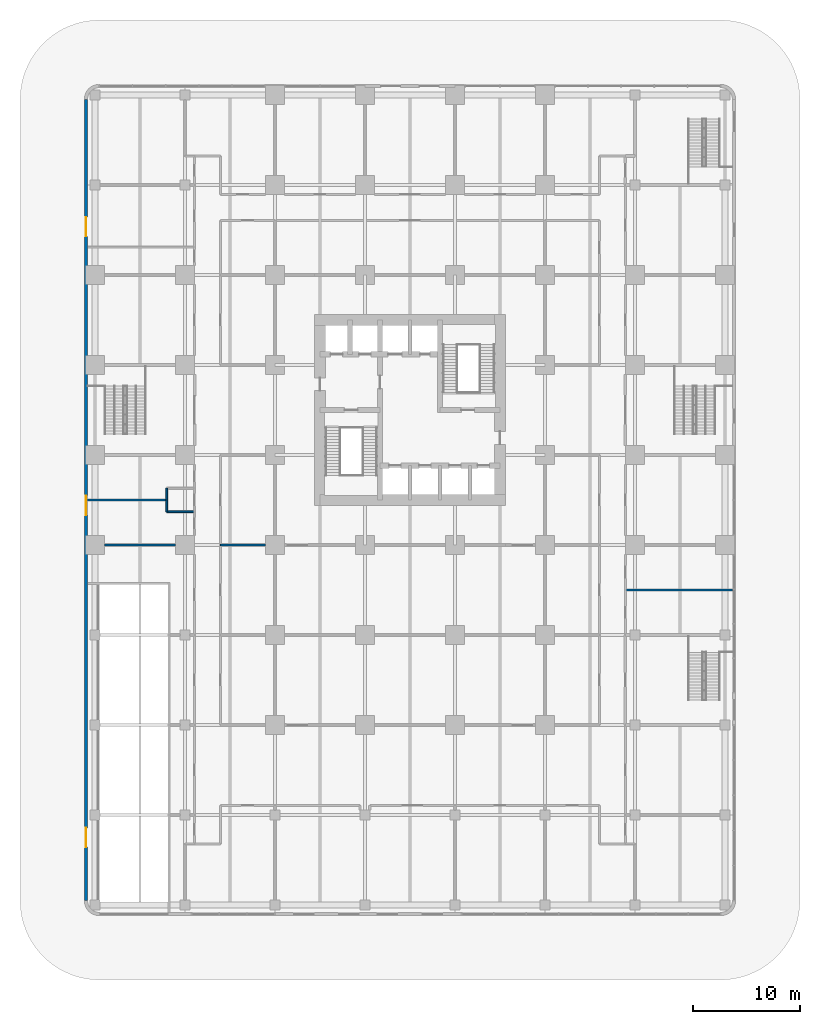
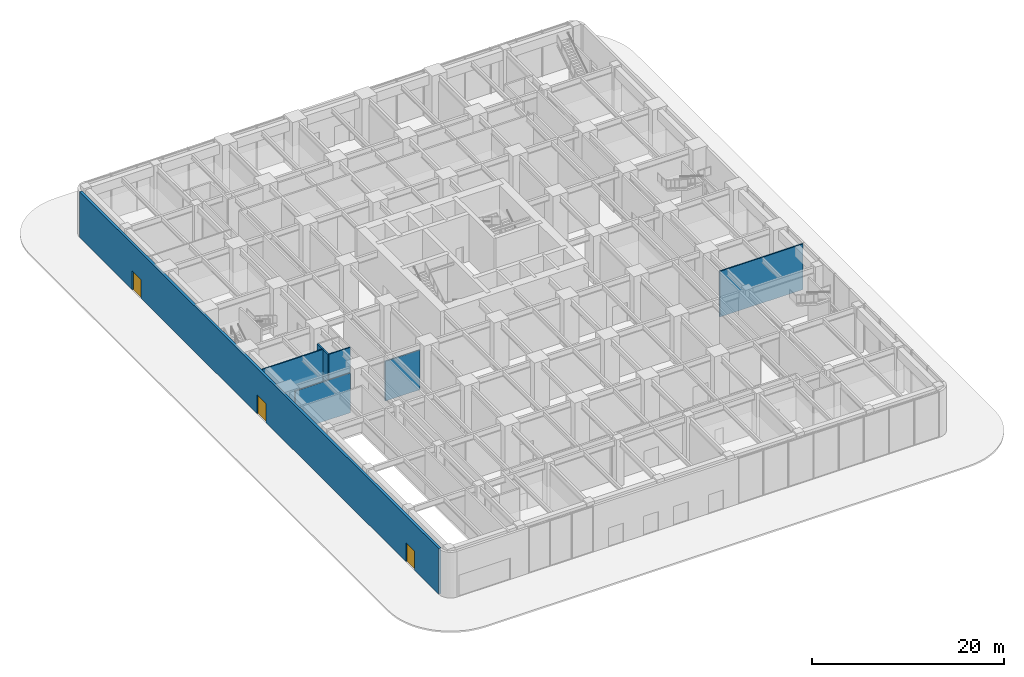
# One storey, part 12 of 21: 8 walls, 3 doors, 3 openings.
"""IFC4 building model written with IfcOpenShell, lengths in metres."""

import ifcopenshell
import ifcopenshell.guid

model = None  # the IFC model being written
_history = None  # IfcOwnerHistory: only IFC2X3 demands one
_inside = {}  # id of a spatial element -> (the spatial element, [elements in it])
_under = {}  # id of a project, library or spatial element -> (it, [spatial elements below it])
_declared = {}  # id of a project -> (the project, [libraries it declares])
_typed = {}  # id of a type object -> (the type object, [elements of that type])
_made_of = {}  # id of a material, layer set ... -> (it, [elements and type objects made of it])


def new_model(schema):
    """Start an empty IFC model of exactly this schema.

    Asked for "IFC4X3", IfcOpenShell would pick the latest addendum, in which some entities
    have other attributes; the version numbers below select the first issue.
    IFC2X3 requires an IfcOwnerHistory on every rooted entity: one is made here for all.
    """
    global model, _history
    if schema == "IFC4X3":
        model = ifcopenshell.file(schema_version=(4, 3, 0, 0))
    else:
        model = ifcopenshell.file(schema=schema)
    _inside.clear()
    _under.clear()
    _declared.clear()
    _typed.clear()
    _made_of.clear()
    _history = None
    if model.schema == "IFC2X3":
        org = make("IfcOrganization", Name="unknown")
        user = make(
            "IfcPersonAndOrganization",
            ThePerson=make("IfcPerson", FamilyName="unknown"),
            TheOrganization=org,
        )
        app = make(
            "IfcApplication",
            ApplicationDeveloper=org,
            Version="unknown",
            ApplicationFullName="unknown",
            ApplicationIdentifier="unknown",
        )
        _history = make(
            "IfcOwnerHistory",
            OwningUser=user,
            OwningApplication=app,
            ChangeAction="ADDED",
            CreationDate=0,
        )
    return model


def make(cls, **values):
    """One entity of the class cls with the attributes given. An attribute that is None is left unset."""
    return model.create_entity(
        cls, **{name: value for name, value in values.items() if value is not None}
    )


def rooted(cls, **values):
    """An entity with a GlobalId (a new one), such as an element, a storey or a relation."""
    return make(cls, GlobalId=ifcopenshell.guid.new(), OwnerHistory=_history, **values)


def si_unit(unit_type, name, prefix=None):
    """IfcSIUnit, for example si_unit("LENGTHUNIT", "METRE", prefix="MILLI")."""
    return make("IfcSIUnit", UnitType=unit_type, Prefix=prefix, Name=name)


def assignment(units):
    """IfcUnitAssignment: the units of a project."""
    return None if units is None else make("IfcUnitAssignment", Units=units)


def point(xyz):
    """IfcCartesianPoint."""
    return None if xyz is None else make("IfcCartesianPoint", Coordinates=xyz)


def direction(xyz):
    """IfcDirection."""
    return None if xyz is None else make("IfcDirection", DirectionRatios=xyz)


def frame(location, z_axis=None, x_axis=None):
    """IfcAxis2Placement3D, a coordinate frame: its origin and axes. An axis left out is left unset."""
    return make(
        "IfcAxis2Placement3D",
        Location=point(location),
        Axis=direction(z_axis),
        RefDirection=direction(x_axis),
    )


def frame_2d(location, x_axis=None):
    """IfcAxis2Placement2D, a coordinate frame in the plane: its origin and x axis."""
    return make(
        "IfcAxis2Placement2D", Location=point(location), RefDirection=direction(x_axis)
    )


def origin():
    """The frame at (0, 0, 0) with its axes left unset."""
    return frame((0.0, 0.0, 0.0))


def place(relative_to, where):
    """IfcLocalPlacement: puts the frame where relative to a parent placement (None: the world)."""
    return make(
        "IfcLocalPlacement", PlacementRelTo=relative_to, RelativePlacement=where
    )


def context(
    kind, dimensions, precision=None, world=None, true_north=None, identifier=None
):
    """IfcGeometricRepresentationContext, for example the 3D "Model" context."""
    return make(
        "IfcGeometricRepresentationContext",
        ContextIdentifier=identifier,
        ContextType=kind,
        CoordinateSpaceDimension=dimensions,
        Precision=precision,
        WorldCoordinateSystem=world,
        TrueNorth=true_north,
    )


def subcontext(parent, identifier, kind, view, scale=None):
    """IfcGeometricRepresentationSubContext, for example "Body" below "Model"."""
    return make(
        "IfcGeometricRepresentationSubContext",
        ContextIdentifier=identifier,
        ContextType=kind,
        ParentContext=parent,
        TargetScale=scale,
        TargetView=view,
    )


def project(units=None, contexts=None):
    """IfcProject with its units and contexts."""
    return rooted(
        "IfcProject",
        Name="project",
        RepresentationContexts=contexts,
        UnitsInContext=assignment(units),
    )


def spatial(cls, under=None, at=None, **own):
    """A site, building, storey or space (cls), placed at a placement, below another one or the project."""
    s = rooted(cls, ObjectPlacement=at, **own)
    if under is not None:
        _under.setdefault(under.id(), (under, []))[1].append(s)
    return s


def profile(cls, at=None, kind="AREA", **sizes):
    """A parametric profile (cls). Its sizes go by their IFC names, for example OverallWidth=200.0."""
    return make(cls, ProfileType=kind, Position=at, **sizes)


def rectangle(**sizes):
    """IfcRectangleProfileDef."""
    return profile("IfcRectangleProfileDef", **sizes)


def extrude(swept, where, along, depth):
    """IfcExtrudedAreaSolid: the profile swept, set in the frame where, extruded along a direction by depth."""
    return make(
        "IfcExtrudedAreaSolid",
        SweptArea=swept,
        Position=where,
        ExtrudedDirection=direction(along),
        Depth=depth,
    )


def shape(context_of_items, identifier, shape_type, items):
    """IfcShapeRepresentation: the items that make up one representation, for example the "Body"."""
    return make(
        "IfcShapeRepresentation",
        ContextOfItems=context_of_items,
        RepresentationIdentifier=identifier,
        RepresentationType=shape_type,
        Items=items,
    )


def material(Name=None, Category=None):
    """IfcMaterial."""
    return make("IfcMaterial", Name=Name, Category=Category)


def layer(
    of_material, thickness, ventilated=None, Name=None, Category=None, Priority=None
):
    """IfcMaterialLayer: one layer of a wall or slab, of a material (None: an air gap)."""
    return make(
        "IfcMaterialLayer",
        Material=of_material,
        LayerThickness=thickness,
        IsVentilated=ventilated,
        Name=Name,
        Category=Category,
        Priority=Priority,
    )


def layer_set(layers, Name=None):
    """IfcMaterialLayerSet."""
    return make("IfcMaterialLayerSet", MaterialLayers=layers, LayerSetName=Name)


def made_of(thing, what):
    """Note that an element or type object is made of a material, layer set ...; save() writes the relation."""
    if what is not None:
        _made_of.setdefault(what.id(), (what, []))[1].append(thing)
    return thing


def type_object(cls, material=None, **own):
    """A type object (cls), such as IfcWallType, which elements share."""
    return made_of(rooted(cls, **own), material)


def element(
    cls,
    number,
    at=None,
    inside=None,
    cuts=None,
    type_object=None,
    material=None,
    context=None,
    identifier="Body",
    shape_type=None,
    held_by="IfcProductDefinitionShape",
    body=None,
    shapes=None,
    **own,
):
    """One element of the class cls, such as IfcWall. Its Tag is "e" and its number.

    at: its placement. inside: the storey or other place that contains it. cuts: it is an
    opening in that element (IfcRelVoidsElement). A single representation is given by context,
    identifier, shape_type and body (its items); several are given by shapes. held_by: the class
    of the entity that holds the representations. save() writes the other relations.
    """
    e = rooted(cls, Tag="e%d" % number, ObjectPlacement=at, **own)
    if body is not None:
        shapes = [shape(context, identifier, shape_type, body)]
    if shapes is not None:
        e.Representation = make(held_by, Representations=shapes)
    if inside is not None:
        _inside.setdefault(inside.id(), (inside, []))[1].append(e)
    if cuts is not None:
        rooted(
            "IfcRelVoidsElement", RelatingBuildingElement=cuts, RelatedOpeningElement=e
        )
    if type_object is not None:
        _typed.setdefault(type_object.id(), (type_object, []))[1].append(e)
    return made_of(e, material)


def fill(opening, filler):
    """IfcRelFillsElement: the door or window that sits in an opening."""
    return rooted(
        "IfcRelFillsElement",
        RelatingOpeningElement=opening,
        RelatedBuildingElement=filler,
    )


def aggregate(whole, parts):
    """IfcRelAggregates: a whole, such as a stair, and the parts it consists of."""
    return rooted("IfcRelAggregates", RelatingObject=whole, RelatedObjects=parts)


def save(model, path):
    """Write the relations noted so far, then the file.

    IfcRelAggregates (storeys below a building ...), IfcRelContainedInSpatialStructure (elements
    in a storey), IfcRelDefinesByType, IfcRelAssociatesMaterial and IfcRelDeclares: one each for
    every whole, place, type object, material and project.
    """
    for whole, parts in _under.values():
        aggregate(whole, parts)
    for where, things in _inside.values():
        rooted(
            "IfcRelContainedInSpatialStructure",
            RelatedElements=things,
            RelatingStructure=where,
        )
    for kind, things in _typed.values():
        rooted("IfcRelDefinesByType", RelatedObjects=things, RelatingType=kind)
    for what, things in _made_of.values():
        rooted("IfcRelAssociatesMaterial", RelatedObjects=things, RelatingMaterial=what)
    for by, libraries in _declared.values():
        rooted("IfcRelDeclares", RelatingContext=by, RelatedDefinitions=libraries)
    model.write(path)


model = new_model("IFC4")

# Units and contexts
model_context = context("Model", 3, precision=1e-05, world=origin(), true_north=direction((0.0, 1.0)))
body_context = subcontext(model_context, "Body", "Model", "MODEL_VIEW")
ifc_project = project(units=[si_unit("LENGTHUNIT", "METRE"), si_unit("AREAUNIT", "SQUARE_METRE"), si_unit("VOLUMEUNIT", "CUBIC_METRE"), si_unit("PLANEANGLEUNIT", "RADIAN"), si_unit("MASSUNIT", "GRAM", prefix="KILO")], contexts=[model_context])

# Site, building, storey
site_placement = place(None, origin())
site = spatial("IfcSite", under=ifc_project, at=site_placement, CompositionType="ELEMENT")
building_placement = place(site_placement, origin())
building = spatial("IfcBuilding", under=site, at=building_placement, Name="Torre Alcanfor", CompositionType="ELEMENT")
storey_placement = place(building_placement, origin())
storey = spatial("IfcBuildingStorey", under=building, at=storey_placement, Name="L00", CompositionType="ELEMENT", Elevation=0.0)

# Walls
ifc_material_1 = material(Name="Concrete block masonry, hollow blocks NMX-C-404 9 MPa", Category="masonry")
ifc_layer_1 = layer(ifc_material_1, 0.14990234375)
ifc_layer_set_1 = layer_set([ifc_layer_1], Name="Classroom partition 150")
wall_type_1 = type_object("IfcWallType", Name="Classroom partition 150", PredefinedType="PARTITIONING", material=ifc_layer_set_1)
wall_1_placement = place(storey_placement, frame((49.5, 12.60009765625, 0.0), z_axis=(0.0, 0.0, 1.0), x_axis=(1.0, 0.0, 0.0)))
element("IfcWall", 1, at=wall_1_placement, inside=storey, type_object=wall_type_1, Name="Partition L00-11 / L00-13", PredefinedType="PARTITIONING", context=body_context, shape_type="SweptSolid", body=[
    extrude(rectangle(XDim=10.0, YDim=0.14990234375, at=frame_2d((5.0, 0.0))), origin(), (0.0, 0.0, 1.0), 5.800048828125),
])
wall_2_placement = place(storey_placement, frame((11.699951171875, 16.800048828125, 0.0), z_axis=(0.0, 0.0, 1.0), x_axis=(1.0, 0.0, 0.0)))
element("IfcWall", 2, at=wall_2_placement, inside=storey, type_object=wall_type_1, Name="Partition L00-I04 / L00-I07", PredefinedType="PARTITIONING", context=body_context, shape_type="SweptSolid", body=[
    extrude(rectangle(XDim=4.199951171875, YDim=0.14990234375, at=frame_2d((2.10009765625, 0.0))), origin(), (0.0, 0.0, 1.0), 5.043212890625),
])

# Wall, openings, doors
ifc_material_2 = material(Name="Limestone cladding", Category="masonry")
ifc_layer_2 = layer(ifc_material_2, 0.0400390625, Name="Facing")
ifc_material_3 = material(Name="Ventilated air cavity")
ifc_layer_3 = layer(ifc_material_3, 0.02001953125, ventilated=True, Name="Ventilated joint")
ifc_material_4 = material(Name="Mineral wool insulation", Category="insulation")
ifc_layer_4 = layer(ifc_material_4, 0.10009765625, Name="Insulation")
ifc_material_5 = material(Name="Concrete f'c 35 MPa", Category="concrete")
ifc_layer_5 = layer(ifc_material_5, 0.139892578125, Name="Backing")
ifc_layer_set_2 = layer_set([ifc_layer_2, ifc_layer_3, ifc_layer_4, ifc_layer_5], Name="External wall stone-clad 300")
wall_type_2 = type_object("IfcWallType", Name="External wall stone-clad 300", PredefinedType="SOLIDWALL", material=ifc_layer_set_2)
wall_3_placement = place(storey_placement, frame((-0.85009765625, 58.39990234375, 0.0), z_axis=(0.0, 0.0, 1.0), x_axis=(0.0, -1.0, 0.0)))
wall_3 = element("IfcWall", 3, at=wall_3_placement, inside=storey, type_object=wall_type_2, Name="External wall L00 W 1", PredefinedType="SOLIDWALL", context=body_context, shape_type="SweptSolid", body=[
    extrude(rectangle(XDim=74.7998046875, YDim=0.300048828125, at=frame_2d((37.39990234375, 0.0))), origin(), (0.0, 0.0, 1.0), 5.800048828125),
])
opening_1_placement = place(wall_3_placement, frame((68.0, 0.0, 0.0)))
opening_1 = element("IfcOpeningElement", 4, at=opening_1_placement, cuts=wall_3, Name="Opening D-X1", PredefinedType="OPENING", context=body_context, shape_type="SweptSolid", body=[
    extrude(rectangle(XDim=1.800048828125, YDim=2.39990234375, at=frame_2d((0.89990234375, 1.199951171875))), frame((0.0, 0.159912109375, 0.0), z_axis=(0.0, -1.0, 0.0), x_axis=(1.0, 0.0, 0.0)), (0.0, 0.0, 1.0), 0.320068359375),
])
opening_2_placement = place(wall_3_placement, frame((37.0, 0.0, 0.0)))
opening_2 = element("IfcOpeningElement", 5, at=opening_2_placement, cuts=wall_3, Name="Opening D-X1", PredefinedType="OPENING", context=body_context, shape_type="SweptSolid", body=[
    extrude(rectangle(XDim=1.800048828125, YDim=2.39990234375, at=frame_2d((0.89990234375, 1.199951171875))), frame((0.0, 0.159912109375, 0.0), z_axis=(0.0, -1.0, 0.0), x_axis=(1.0, 0.0, 0.0)), (0.0, 0.0, 1.0), 0.320068359375),
])
opening_3_placement = place(wall_3_placement, frame((11.0, 0.0, 0.0)))
opening_3 = element("IfcOpeningElement", 6, at=opening_3_placement, cuts=wall_3, Name="Opening D-X1", PredefinedType="OPENING", context=body_context, shape_type="SweptSolid", body=[
    extrude(rectangle(XDim=1.800048828125, YDim=2.39990234375, at=frame_2d((0.89990234375, 1.199951171875))), frame((0.0, 0.159912109375, 0.0), z_axis=(0.0, -1.0, 0.0), x_axis=(1.0, 0.0, 0.0)), (0.0, 0.0, 1.0), 0.320068359375),
])
ifc_material_6 = material(Name="Galvanised steel sheet ASTM A653", Category="steel")
door_type = type_object("IfcDoorType", Name="Exit discharge door steel double 1800x2400", OperationType="DOUBLE_DOOR_SINGLE_SWING", PredefinedType="DOOR", material=ifc_material_6)
door_1_placement = place(opening_1_placement, frame((1.800048828125, 0.0, 0.0), z_axis=(0.0, 0.0, 1.0), x_axis=(-1.0, 0.0, 0.0)))
door_1 = element("IfcDoor", 7, at=door_1_placement, inside=storey, type_object=door_type, Name="Exit door W 1", OperationType="DOUBLE_DOOR_SINGLE_SWING", OverallHeight=2.39990234375, OverallWidth=1.800048828125, PredefinedType="DOOR", context=body_context, shape_type="SweptSolid", body=[
    extrude(rectangle(XDim=1.800048828125, YDim=2.39990234375, at=frame_2d((0.900146484375, 1.199951171875))), frame((0.0, 0.025146484375, 0.0), z_axis=(0.0, -1.0, 0.0), x_axis=(1.0, 0.0, 0.0)), (0.0, 0.0, 1.0), 0.050048828125),
])
fill(opening_1, door_1)
door_2_placement = place(opening_2_placement, frame((1.800048828125, 0.0, 0.0), z_axis=(0.0, 0.0, 1.0), x_axis=(-1.0, 0.0, 0.0)))
door_2 = element("IfcDoor", 8, at=door_2_placement, inside=storey, type_object=door_type, Name="Exit door W 2", OperationType="DOUBLE_DOOR_SINGLE_SWING", OverallHeight=2.39990234375, OverallWidth=1.800048828125, PredefinedType="DOOR", context=body_context, shape_type="SweptSolid", body=[
    extrude(rectangle(XDim=1.800048828125, YDim=2.39990234375, at=frame_2d((0.900146484375, 1.199951171875))), frame((0.0, 0.025146484375, 0.0), z_axis=(0.0, -1.0, 0.0), x_axis=(1.0, 0.0, 0.0)), (0.0, 0.0, 1.0), 0.050048828125),
])
fill(opening_2, door_2)
door_3_placement = place(opening_3_placement, frame((1.800048828125, 0.0, 0.0), z_axis=(0.0, 0.0, 1.0), x_axis=(-1.0, 0.0, 0.0)))
door_3 = element("IfcDoor", 9, at=door_3_placement, inside=storey, type_object=door_type, Name="Exit door W 3", OperationType="DOUBLE_DOOR_SINGLE_SWING", OverallHeight=2.39990234375, OverallWidth=1.800048828125, PredefinedType="DOOR", context=body_context, shape_type="SweptSolid", body=[
    extrude(rectangle(XDim=1.800048828125, YDim=2.39990234375, at=frame_2d((0.900146484375, 1.199951171875))), frame((0.0, 0.025146484375, 0.0), z_axis=(0.0, -1.0, 0.0), x_axis=(1.0, 0.0, 0.0)), (0.0, 0.0, 1.0), 0.050048828125),
])
fill(opening_3, door_3)

# Walls
ifc_material_7 = material(Name="Cement board on steel studs", Category="steel")
ifc_layer_6 = layer(ifc_material_7, 0.14990234375)
ifc_layer_set_3 = layer_set([ifc_layer_6], Name="Wet area partition 150")
wall_type_3 = type_object("IfcWallType", Name="Wet area partition 150", PredefinedType="PARTITIONING", material=ifc_layer_set_3)
wall_4_placement = place(storey_placement, frame((6.699951171875, 21.0, 0.0), z_axis=(0.0, 0.0, 1.0), x_axis=(0.0, -1.0, 0.0)))
element("IfcWall", 10, at=wall_4_placement, inside=storey, type_object=wall_type_3, Name="Partition L00-WCW1 / L00-WCW2", PredefinedType="PARTITIONING", context=body_context, shape_type="SweptSolid", body=[
    extrude(rectangle(XDim=1.10009765625, YDim=0.14990234375, at=frame_2d((0.550048828125, 0.0))), origin(), (0.0, 0.0, 1.0), 5.800048828125),
])
wall_5_placement = place(storey_placement, frame((6.699951171875, 19.89990234375, 0.0), z_axis=(0.0, 0.0, 1.0), x_axis=(1.0, 0.0, 0.0)))
element("IfcWall", 11, at=wall_5_placement, inside=storey, type_object=wall_type_3, Name="Partition L00-WCW1 / L00-WCW2", PredefinedType="PARTITIONING", context=body_context, shape_type="SweptSolid", body=[
    extrude(rectangle(XDim=2.60009765625, YDim=0.14990234375, at=frame_2d((1.300048828125, 0.0))), origin(), (0.0, 0.0, 1.0), 5.800048828125),
])
wall_6_placement = place(storey_placement, frame((-0.699951171875, 21.0, 0.0), z_axis=(0.0, 0.0, 1.0), x_axis=(1.0, 0.0, 0.0)))
element("IfcWall", 12, at=wall_6_placement, inside=storey, type_object=wall_type_3, Name="Partition L00-WCW1 / L00-WCW3", PredefinedType="PARTITIONING", context=body_context, shape_type="SweptSolid", body=[
    extrude(rectangle(XDim=7.39990234375, YDim=0.14990234375, at=frame_2d((3.699951171875, 0.0))), origin(), (0.0, 0.0, 1.0), 5.800048828125),
])
wall_7_placement = place(storey_placement, frame((7.5, 16.800048828125, 0.0), z_axis=(0.0, 0.0, 1.0), x_axis=(-1.0, 0.0, 0.0)))
element("IfcWall", 13, at=wall_7_placement, inside=storey, type_object=wall_type_3, Name="Partition L00-WCW1 / L00-12", PredefinedType="PARTITIONING", context=body_context, shape_type="SweptSolid", body=[
    extrude(rectangle(XDim=6.60009765625, YDim=0.14990234375, at=frame_2d((3.300048828125, 0.0))), origin(), (0.0, 0.0, 1.0), 5.043212890625),
])
wall_8_placement = place(storey_placement, frame((6.699951171875, 21.0, 0.0), z_axis=(0.0, 0.0, 1.0), x_axis=(0.0, 1.0, 0.0)))
element("IfcWall", 14, at=wall_8_placement, inside=storey, type_object=wall_type_3, Name="Partition L00-WCW2 / L00-WCW3", PredefinedType="PARTITIONING", context=body_context, shape_type="SweptSolid", body=[
    extrude(rectangle(XDim=1.10009765625, YDim=0.14990234375, at=frame_2d((0.550048828125, 0.0))), origin(), (0.0, 0.0, 1.0), 5.800048828125),
])

save(model, "model.ifc")
